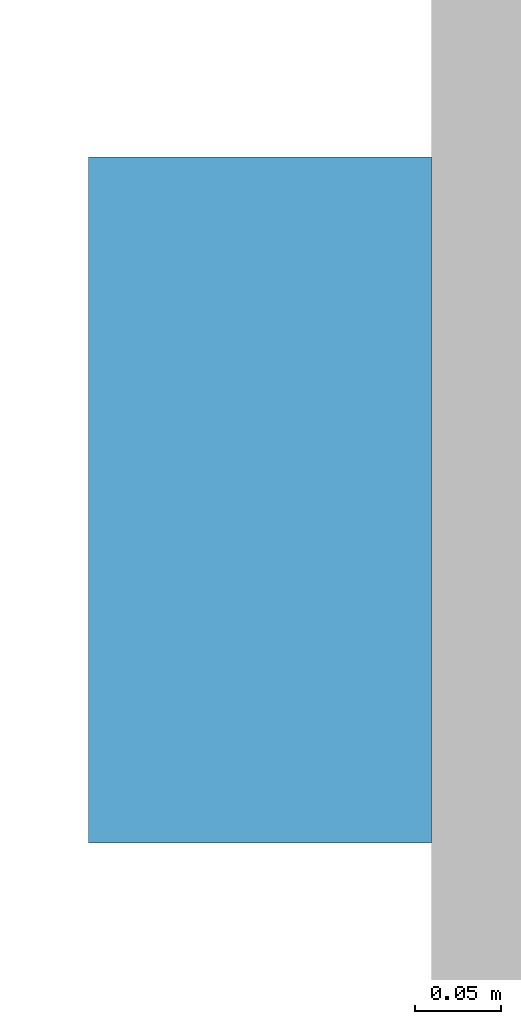
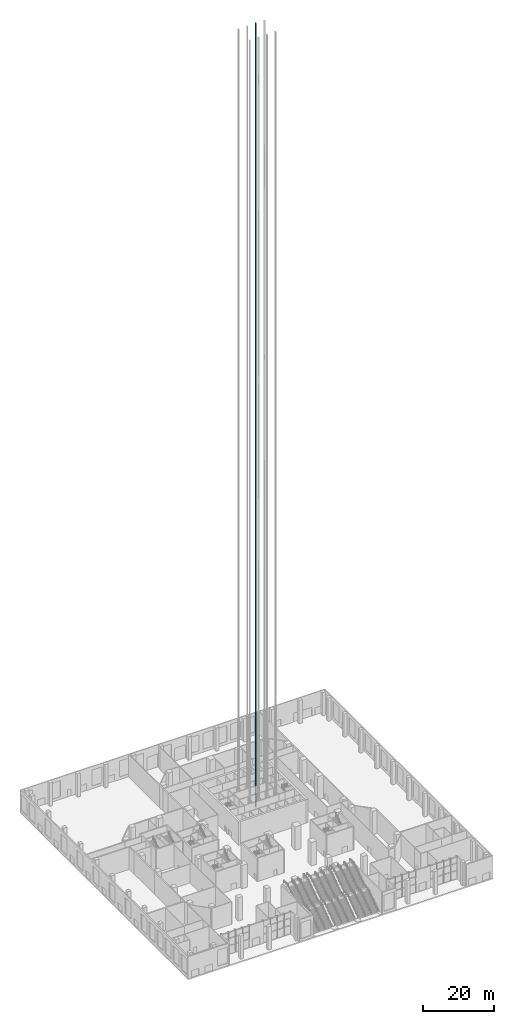
# One storey, part 27 of 32: 1 discrete accessory.
"""IFC4 building model written with IfcOpenShell, lengths in metres."""

from ifc_helpers import new_model, si_unit, direction, frame, origin, origin_2d, place, context, subcontext, project, spatial, rectangle, extrude, material, element, save


model = new_model("IFC4")

# Units and contexts
model_context = context("Model", 3, precision=1e-05, world=origin(), true_north=direction((0.0, 1.0)))
body_context = subcontext(model_context, "Body", "Model", "MODEL_VIEW")
ifc_project = project(units=[si_unit("LENGTHUNIT", "METRE"), si_unit("AREAUNIT", "SQUARE_METRE"), si_unit("VOLUMEUNIT", "CUBIC_METRE"), si_unit("PLANEANGLEUNIT", "RADIAN"), si_unit("MASSUNIT", "GRAM", prefix="KILO")], contexts=[model_context])

# Site, building, storey
site_placement = place(None, origin())
site = spatial("IfcSite", under=ifc_project, at=site_placement, CompositionType="ELEMENT")
building_placement = place(site_placement, origin())
building = spatial("IfcBuilding", under=site, at=building_placement, Name="Quoin Convention Tower", CompositionType="ELEMENT")
storey_placement = place(building_placement, origin())
storey = spatial("IfcBuildingStorey", under=building, at=storey_placement, Name="L00", CompositionType="ELEMENT", Elevation=0.0)

# Discrete accessory
ifc_material = material(Name="Galvanised steel", Category="steel")
discrete_accessory_placement = place(storey_placement, frame((58.85009765625, 63.89990234375, -0.35009765625), z_axis=(0.0, 0.0, 1.0), x_axis=(1.0, 0.0, 0.0)))
element("IfcDiscreteAccessory", 1, at=discrete_accessory_placement, inside=storey, material=ifc_material, Name="LIFT GUIDE RAILS H7", ObjectType="Lift guide rails", PredefinedType="USERDEFINED", context=body_context, shape_type="SweptSolid", body=[
    extrude(rectangle(XDim=0.199951171875, YDim=0.39990234375, at=origin_2d()), origin(), (0.0, 0.0, 1.0), 268.800048828125),
])

save(model, "model.ifc")
